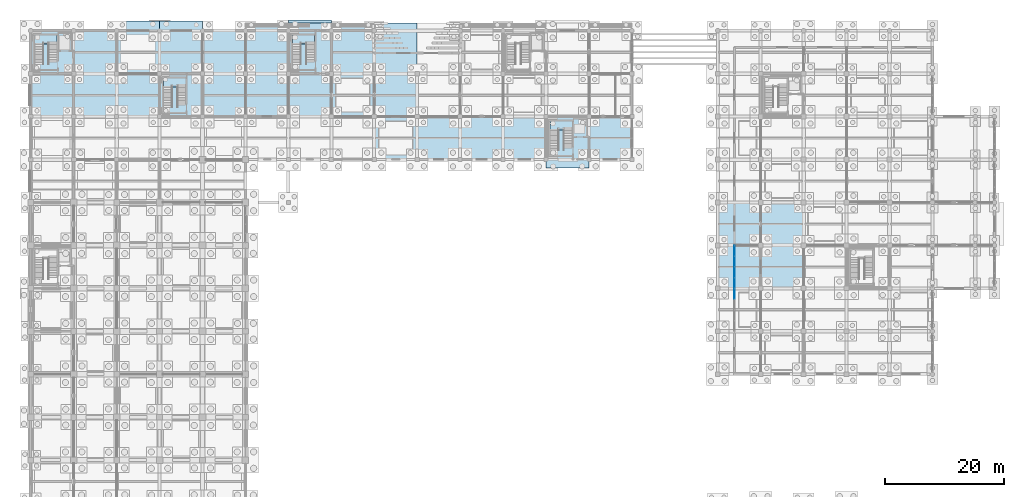
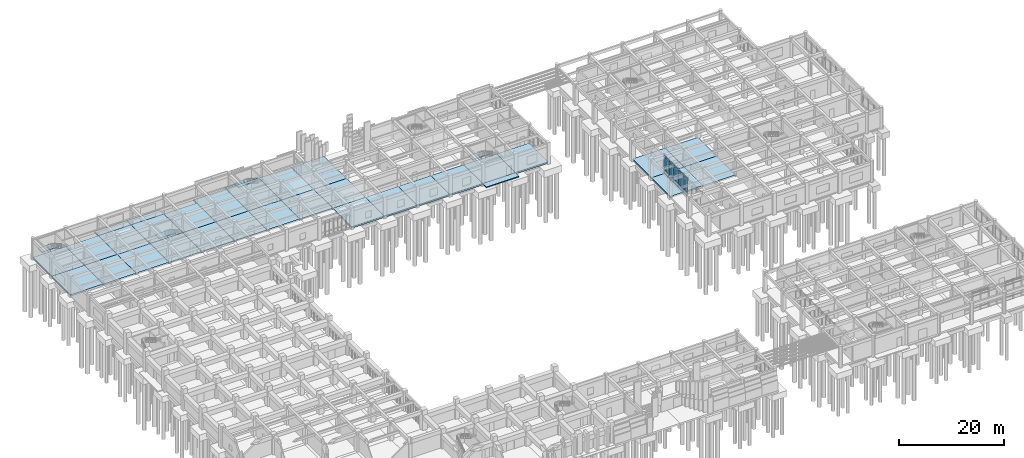
# One storey, part 48 of 79: 36 slabs, 15 plates, 6 elements without a shape of their own.
"""IFC4 building model written with IfcOpenShell, lengths in metres."""

from ifc_helpers import new_model, si_unit, direction, frame, origin, origin_2d, place, context, subcontext, project, spatial, polyline, rectangle, outline, extrude, material, layer, layer_set, type_object, element, aggregate, save


model = new_model("IFC4")

# Units and contexts
model_context = context("Model", 3, precision=1e-05, world=origin(), true_north=direction((0.0, 1.0)))
body_context = subcontext(model_context, "Body", "Model", "MODEL_VIEW")
ifc_project = project(units=[si_unit("LENGTHUNIT", "METRE"), si_unit("AREAUNIT", "SQUARE_METRE"), si_unit("VOLUMEUNIT", "CUBIC_METRE"), si_unit("PLANEANGLEUNIT", "RADIAN"), si_unit("MASSUNIT", "GRAM", prefix="KILO")], contexts=[model_context])

# Site, building, storey
site_placement = place(None, origin())
site = spatial("IfcSite", under=ifc_project, at=site_placement, CompositionType="ELEMENT")
building_placement = place(site_placement, origin())
building = spatial("IfcBuilding", under=site, at=building_placement, Name="Kavelor Marine Aquarium", CompositionType="ELEMENT")
storey_placement = place(building_placement, origin())
storey = spatial("IfcBuildingStorey", under=building, at=storey_placement, Name="L00", CompositionType="ELEMENT", Elevation=0.0)

# Curtain wall, plates
ifc_material_1 = material(Name="Thermally Broken Aluminium and Low-E Glass", Category="aluminium")
ifc_layer_1 = layer(ifc_material_1, 0.26806640625)
ifc_layer_set_1 = layer_set([ifc_layer_1], Name="CW-SYS16")
curtain_wall_type_1 = type_object("IfcCurtainWallType", Name="CW-SYS16", PredefinedType="USERDEFINED", material=ifc_layer_set_1)
curtain_wall_1_placement = place(storey_placement, origin())
curtain_wall_1 = element("IfcCurtainWall", 1, at=curtain_wall_1_placement, inside=storey, type_object=curtain_wall_type_1, Name="cw:arc:v6w:08", ObjectType="Curtain Wall", PredefinedType="USERDEFINED")
ifc_material_2 = material(Name="Solar-Control Double Low-E Glazing", Category="glass")
ifc_layer_2 = layer(ifc_material_2, 0.031982421875)
ifc_layer_set_2 = layer_set([ifc_layer_2], Name="CWP-04")
plate_type_1 = type_object("IfcPlateType", Name="CWP-04", PredefinedType="CURTAIN_PANEL", material=ifc_layer_set_2)
plate_1_placement = place(storey_placement, frame((121.199951171875, 66.68115234375, 0.06005859375), z_axis=(0.0, 0.0, 1.0), x_axis=(0.0, -1.0, 0.0)))
plate_1 = element("IfcPlate", 2, at=plate_1_placement, type_object=plate_type_1, Name="CW16 panel 1.1", PredefinedType="CURTAIN_PANEL", context=body_context, shape_type="SweptSolid", body=[
    extrude(rectangle(XDim=1.6875, YDim=0.031982421875, at=origin_2d()), origin(), (0.0, 0.0, 1.0), 0.81005859375),
])
plate_2_placement = place(storey_placement, frame((121.199951171875, 66.68115234375, 0.93017578125), z_axis=(0.0, 0.0, 1.0), x_axis=(0.0, -1.0, 0.0)))
plate_2 = element("IfcPlate", 3, at=plate_2_placement, type_object=plate_type_1, Name="CW16 panel 1.2", PredefinedType="CURTAIN_PANEL", context=body_context, shape_type="SweptSolid", body=[
    extrude(rectangle(XDim=1.6875, YDim=0.031982421875, at=origin_2d()), origin(), (0.0, 0.0, 1.0), 2.760009765625),
])
plate_3_placement = place(storey_placement, frame((121.199951171875, 66.68115234375, 3.75), z_axis=(0.0, 0.0, 1.0), x_axis=(0.0, -1.0, 0.0)))
plate_3 = element("IfcPlate", 4, at=plate_3_placement, type_object=plate_type_1, Name="CW16 panel 1.3", PredefinedType="CURTAIN_PANEL", context=body_context, shape_type="SweptSolid", body=[
    extrude(rectangle(XDim=1.6875, YDim=0.031982421875, at=origin_2d()), origin(), (0.0, 0.0, 1.0), 0.56005859375),
])
aggregate(curtain_wall_1, [plate_1, plate_2, plate_3])

ifc_material_3 = material(Name="Thermally Broken Aluminium and Low-E Glass", Category="aluminium")
ifc_layer_3 = layer(ifc_material_3, 0.27587890625)
ifc_layer_set_3 = layer_set([ifc_layer_3], Name="CW-SYS17")
curtain_wall_type_2 = type_object("IfcCurtainWallType", Name="CW-SYS17", PredefinedType="USERDEFINED", material=ifc_layer_set_3)
curtain_wall_2_placement = place(storey_placement, origin())
curtain_wall_2 = element("IfcCurtainWall", 5, at=curtain_wall_2_placement, inside=storey, type_object=curtain_wall_type_2, Name="cw:arc:v6w:09", ObjectType="Curtain Wall", PredefinedType="USERDEFINED")
ifc_material_4 = material(Name="Solar-Control Double Low-E Glazing", Category="glass")
ifc_layer_4 = layer(ifc_material_4, 0.033935546875)
ifc_layer_set_4 = layer_set([ifc_layer_4], Name="CWP-05")
plate_type_2 = type_object("IfcPlateType", Name="CWP-05", PredefinedType="CURTAIN_PANEL", material=ifc_layer_set_4)
plate_4_placement = place(storey_placement, frame((121.199951171875, 73.8837890625, 0.06005859375), z_axis=(0.0, 0.0, 1.0), x_axis=(0.0, -1.0, 0.0)))
plate_4 = element("IfcPlate", 6, at=plate_4_placement, type_object=plate_type_2, Name="CW17 panel 1.1", PredefinedType="CURTAIN_PANEL", context=body_context, shape_type="SweptSolid", body=[
    extrude(rectangle(XDim=1.702392578125, YDim=0.033935546875, at=origin_2d()), origin(), (0.0, 0.0, 1.0), 0.81005859375),
])
plate_5_placement = place(storey_placement, frame((121.199951171875, 73.8837890625, 0.93017578125), z_axis=(0.0, 0.0, 1.0), x_axis=(0.0, -1.0, 0.0)))
plate_5 = element("IfcPlate", 7, at=plate_5_placement, type_object=plate_type_2, Name="CW17 panel 1.2", PredefinedType="CURTAIN_PANEL", context=body_context, shape_type="SweptSolid", body=[
    extrude(rectangle(XDim=1.702392578125, YDim=0.033935546875, at=origin_2d()), origin(), (0.0, 0.0, 1.0), 2.760009765625),
])
plate_6_placement = place(storey_placement, frame((121.199951171875, 73.8837890625, 3.75), z_axis=(0.0, 0.0, 1.0), x_axis=(0.0, -1.0, 0.0)))
plate_6 = element("IfcPlate", 8, at=plate_6_placement, type_object=plate_type_2, Name="CW17 panel 1.3", PredefinedType="CURTAIN_PANEL", context=body_context, shape_type="SweptSolid", body=[
    extrude(rectangle(XDim=1.702392578125, YDim=0.033935546875, at=origin_2d()), origin(), (0.0, 0.0, 1.0), 0.56005859375),
])
plate_7_placement = place(storey_placement, frame((121.199951171875, 72.10009765625, 0.06005859375), z_axis=(0.0, 0.0, 1.0), x_axis=(0.0, -1.0, 0.0)))
plate_7 = element("IfcPlate", 9, at=plate_7_placement, type_object=plate_type_2, Name="CW17 panel 2.1", PredefinedType="CURTAIN_PANEL", context=body_context, shape_type="SweptSolid", body=[
    extrude(rectangle(XDim=1.735107421875, YDim=0.033935546875, at=origin_2d()), origin(), (0.0, 0.0, 1.0), 0.81005859375),
])
plate_8_placement = place(storey_placement, frame((121.199951171875, 72.10009765625, 0.93017578125), z_axis=(0.0, 0.0, 1.0), x_axis=(0.0, -1.0, 0.0)))
plate_8 = element("IfcPlate", 10, at=plate_8_placement, type_object=plate_type_2, Name="CW17 panel 2.2", PredefinedType="CURTAIN_PANEL", context=body_context, shape_type="SweptSolid", body=[
    extrude(rectangle(XDim=1.735107421875, YDim=0.033935546875, at=origin_2d()), origin(), (0.0, 0.0, 1.0), 2.760009765625),
])
plate_9_placement = place(storey_placement, frame((121.199951171875, 72.10009765625, 3.75), z_axis=(0.0, 0.0, 1.0), x_axis=(0.0, -1.0, 0.0)))
plate_9 = element("IfcPlate", 11, at=plate_9_placement, type_object=plate_type_2, Name="CW17 panel 2.3", PredefinedType="CURTAIN_PANEL", context=body_context, shape_type="SweptSolid", body=[
    extrude(rectangle(XDim=1.735107421875, YDim=0.033935546875, at=origin_2d()), origin(), (0.0, 0.0, 1.0), 0.56005859375),
])
plate_10_placement = place(storey_placement, frame((121.199951171875, 70.300048828125, 0.06005859375), z_axis=(0.0, 0.0, 1.0), x_axis=(0.0, -1.0, 0.0)))
plate_10 = element("IfcPlate", 12, at=plate_10_placement, type_object=plate_type_2, Name="CW17 panel 3.1", PredefinedType="CURTAIN_PANEL", context=body_context, shape_type="SweptSolid", body=[
    extrude(rectangle(XDim=1.735107421875, YDim=0.033935546875, at=origin_2d()), origin(), (0.0, 0.0, 1.0), 0.81005859375),
])
plate_11_placement = place(storey_placement, frame((121.199951171875, 70.300048828125, 0.93017578125), z_axis=(0.0, 0.0, 1.0), x_axis=(0.0, -1.0, 0.0)))
plate_11 = element("IfcPlate", 13, at=plate_11_placement, type_object=plate_type_2, Name="CW17 panel 3.2", PredefinedType="CURTAIN_PANEL", context=body_context, shape_type="SweptSolid", body=[
    extrude(rectangle(XDim=1.735107421875, YDim=0.033935546875, at=origin_2d()), origin(), (0.0, 0.0, 1.0), 2.760009765625),
])
plate_12_placement = place(storey_placement, frame((121.199951171875, 70.300048828125, 3.75), z_axis=(0.0, 0.0, 1.0), x_axis=(0.0, -1.0, 0.0)))
plate_12 = element("IfcPlate", 14, at=plate_12_placement, type_object=plate_type_2, Name="CW17 panel 3.3", PredefinedType="CURTAIN_PANEL", context=body_context, shape_type="SweptSolid", body=[
    extrude(rectangle(XDim=1.735107421875, YDim=0.033935546875, at=origin_2d()), origin(), (0.0, 0.0, 1.0), 0.56005859375),
])
plate_13_placement = place(storey_placement, frame((121.199951171875, 68.516357421875, 0.06005859375), z_axis=(0.0, 0.0, 1.0), x_axis=(0.0, -1.0, 0.0)))
plate_13 = element("IfcPlate", 15, at=plate_13_placement, type_object=plate_type_2, Name="CW17 panel 4.1", PredefinedType="CURTAIN_PANEL", context=body_context, shape_type="SweptSolid", body=[
    extrude(rectangle(XDim=1.702392578125, YDim=0.033935546875, at=origin_2d()), origin(), (0.0, 0.0, 1.0), 0.81005859375),
])
plate_14_placement = place(storey_placement, frame((121.199951171875, 68.516357421875, 0.93017578125), z_axis=(0.0, 0.0, 1.0), x_axis=(0.0, -1.0, 0.0)))
plate_14 = element("IfcPlate", 16, at=plate_14_placement, type_object=plate_type_2, Name="CW17 panel 4.2", PredefinedType="CURTAIN_PANEL", context=body_context, shape_type="SweptSolid", body=[
    extrude(rectangle(XDim=1.702392578125, YDim=0.033935546875, at=origin_2d()), origin(), (0.0, 0.0, 1.0), 2.760009765625),
])
plate_15_placement = place(storey_placement, frame((121.199951171875, 68.516357421875, 3.75), z_axis=(0.0, 0.0, 1.0), x_axis=(0.0, -1.0, 0.0)))
plate_15 = element("IfcPlate", 17, at=plate_15_placement, type_object=plate_type_2, Name="CW17 panel 4.3", PredefinedType="CURTAIN_PANEL", context=body_context, shape_type="SweptSolid", body=[
    extrude(rectangle(XDim=1.702392578125, YDim=0.033935546875, at=origin_2d()), origin(), (0.0, 0.0, 1.0), 0.56005859375),
])
aggregate(curtain_wall_2, [plate_4, plate_5, plate_6, plate_7, plate_8, plate_9, plate_10, plate_11, plate_12, plate_13, plate_14, plate_15])

# Stair, slab
ifc_material_5 = material(Name="Concrete C40/50", Category="concrete")
stair_type = type_object("IfcStairType", Name="ST-T1", PredefinedType="HALF_TURN_STAIR", material=ifc_material_5)
stair_1_placement = place(storey_placement, origin())
stair_1 = element("IfcStair", 18, at=stair_1_placement, inside=storey, type_object=stair_type, Name="Exit Stair ST01 (L00)", PredefinedType="HALF_TURN_STAIR")
ifc_material_6 = material(Name="Concrete C40/50", Category="concrete")
ifc_layer_5 = layer(ifc_material_6, 0.199951171875)
ifc_layer_set_5 = layer_set([ifc_layer_5], Name="LND-T1")
slab_type_1 = type_object("IfcSlabType", Name="LND-T1", PredefinedType="LANDING", material=ifc_layer_set_5)
slab_1_placement = place(storey_placement, frame((0.0, 0.0, 2.139892578125)))
slab_1 = element("IfcSlab", 19, at=slab_1_placement, type_object=slab_type_1, Name="ST01 landing 1", PredefinedType="LANDING", context=body_context, shape_type="SweptSolid", body=[
    extrude(outline(polyline([(3.860107421875, 108.554931640625), (7.6201171875, 108.554931640625), (7.6201171875, 110.06005859375), (3.860107421875, 110.06005859375), (3.860107421875, 108.554931640625)])), origin(), (0.0, 0.0, 1.0), 0.2001953125),
])
aggregate(stair_1, [slab_1])

stair_2_placement = place(storey_placement, origin())
stair_2 = element("IfcStair", 20, at=stair_2_placement, inside=storey, type_object=stair_type, Name="Exit Stair ST02 (L00)", PredefinedType="HALF_TURN_STAIR")
slab_2_placement = place(storey_placement, frame((0.0, 0.0, 2.139892578125)))
slab_2 = element("IfcSlab", 21, at=slab_2_placement, type_object=slab_type_1, Name="ST02 landing 1", PredefinedType="LANDING", context=body_context, shape_type="SweptSolid", body=[
    extrude(outline(polyline([(25.4599609375, 101.35498046875), (29.219970703125, 101.35498046875), (29.219970703125, 102.860107421875), (25.4599609375, 102.860107421875), (25.4599609375, 101.35498046875)])), origin(), (0.0, 0.0, 1.0), 0.2001953125),
])
aggregate(stair_2, [slab_2])

stair_3_placement = place(storey_placement, origin())
stair_3 = element("IfcStair", 22, at=stair_3_placement, inside=storey, type_object=stair_type, Name="Exit Stair ST05 (L00)", PredefinedType="HALF_TURN_STAIR")
slab_3_placement = place(storey_placement, frame((0.0, 0.0, 2.139892578125)))
slab_3 = element("IfcSlab", 23, at=slab_3_placement, type_object=slab_type_1, Name="ST05 landing 1", PredefinedType="LANDING", context=body_context, shape_type="SweptSolid", body=[
    extrude(outline(polyline([(47.06005859375, 108.554931640625), (50.820068359375, 108.554931640625), (50.820068359375, 110.06005859375), (47.06005859375, 110.06005859375), (47.06005859375, 108.554931640625)])), origin(), (0.0, 0.0, 1.0), 0.2001953125),
])
aggregate(stair_3, [slab_3])

stair_4_placement = place(storey_placement, origin())
stair_4 = element("IfcStair", 24, at=stair_4_placement, inside=storey, type_object=stair_type, Name="Exit Stair ST07 (L00)", PredefinedType="HALF_TURN_STAIR")
slab_4_placement = place(storey_placement, frame((0.0, 0.0, 2.139892578125)))
slab_4 = element("IfcSlab", 25, at=slab_4_placement, type_object=slab_type_1, Name="ST07 landing 1", PredefinedType="LANDING", context=body_context, shape_type="SweptSolid", body=[
    extrude(outline(polyline([(90.260009765625, 94.155029296875), (94.02001953125, 94.155029296875), (94.02001953125, 95.659912109375), (90.260009765625, 95.659912109375), (90.260009765625, 94.155029296875)])), origin(), (0.0, 0.0, 1.0), 0.2001953125),
])
aggregate(stair_4, [slab_4])

# Slabs
ifc_material_7 = material(Name="Textured Coastal Granite Paving", Category="masonry")
ifc_layer_6 = layer(ifc_material_7, 0.199951171875)
ifc_layer_set_6 = layer_set([ifc_layer_6], Name="SL-AP1")
slab_type_2 = type_object("IfcSlabType", Name="SL-AP1", PredefinedType="BASESLAB", material=ifc_layer_set_6)
slab_5_placement = place(storey_placement, frame((0.0, 0.0, -0.199951171875)))
element("IfcSlab", 26, at=slab_5_placement, inside=storey, type_object=slab_type_2, Name="apron:x:02_15", PredefinedType="BASESLAB", context=body_context, shape_type="SweptSolid", body=[
    extrude(outline(polyline([(17.60009765625, 110.800048828125), (24.800048828125, 110.800048828125), (24.800048828125, 112.39990234375), (17.60009765625, 112.39990234375), (17.60009765625, 110.800048828125)])), origin(), (0.0, 0.0, 1.0), 0.199951171875),
])
slab_6_placement = place(storey_placement, frame((0.0, 0.0, -0.199951171875)))
element("IfcSlab", 27, at=slab_6_placement, inside=storey, type_object=slab_type_2, Name="apron:x:03_15", PredefinedType="BASESLAB", context=body_context, shape_type="SweptSolid", body=[
    extrude(outline(polyline([(24.800048828125, 110.800048828125), (32.0, 110.800048828125), (32.0, 112.39990234375), (24.800048828125, 112.39990234375), (24.800048828125, 110.800048828125)])), origin(), (0.0, 0.0, 1.0), 0.199951171875),
])
slab_7_placement = place(storey_placement, frame((0.0, 0.0, -0.199951171875)))
element("IfcSlab", 28, at=slab_7_placement, inside=storey, type_object=slab_type_2, Name="apron:sd2:x:06_15", PredefinedType="BASESLAB", context=body_context, shape_type="SweptSolid", body=[
    extrude(outline(polyline([(46.39990234375, 112.1201171875), (53.60009765625, 112.1201171875), (53.60009765625, 112.60009765625), (46.39990234375, 112.60009765625), (46.39990234375, 112.1201171875)])), origin(), (0.0, 0.0, 1.0), 0.199951171875),
])
slab_8_placement = place(storey_placement, frame((0.0, 0.0, -0.199951171875)))
element("IfcSlab", 29, at=slab_8_placement, inside=storey, type_object=slab_type_2, Name="apron:sd2:x:12_12", PredefinedType="BASESLAB", context=body_context, shape_type="SweptSolid", body=[
    extrude(outline(polyline([(89.60009765625, 87.800048828125), (96.800048828125, 87.800048828125), (96.800048828125, 89.199951171875), (89.60009765625, 89.199951171875), (89.60009765625, 87.800048828125)])), origin(), (0.0, 0.0, 1.0), 0.199951171875),
])
ifc_material_8 = material(Name="Concrete C40/50", Category="concrete")
ifc_layer_7 = layer(ifc_material_8, 0.35009765625)
ifc_layer_set_7 = layer_set([ifc_layer_7], Name="SL-BS2")
slab_type_3 = type_object("IfcSlabType", Name="SL-BS2", PredefinedType="BASESLAB", material=ifc_layer_set_7)
slab_9_placement = place(storey_placement, frame((0.0, 0.0, -0.35009765625)))
element("IfcSlab", 30, at=slab_9_placement, inside=storey, type_object=slab_type_3, Name="slab:L00:00_13", PredefinedType="BASESLAB", context=body_context, shape_type="SweptSolid", body=[
    extrude(outline(polyline([(3.199951171875, 96.39990234375), (10.39990234375, 96.39990234375), (10.39990234375, 103.60009765625), (3.199951171875, 103.60009765625), (3.199951171875, 96.39990234375)])), origin(), (0.0, 0.0, 1.0), 0.35009765625),
])
slab_10_placement = place(storey_placement, frame((0.0, 0.0, -0.35009765625)))
element("IfcSlab", 31, at=slab_10_placement, inside=storey, type_object=slab_type_3, Name="slab:L00:00_14", PredefinedType="BASESLAB", context=body_context, shape_type="SweptSolid", body=[
    extrude(outline(polyline([(3.199951171875, 103.60009765625), (10.39990234375, 103.60009765625), (10.39990234375, 110.800048828125), (3.199951171875, 110.800048828125), (3.199951171875, 103.60009765625)])), origin(), (0.0, 0.0, 1.0), 0.35009765625),
])
slab_11_placement = place(storey_placement, frame((0.0, 0.0, -0.35009765625)))
element("IfcSlab", 32, at=slab_11_placement, inside=storey, type_object=slab_type_3, Name="slab:L00:01_13", PredefinedType="BASESLAB", context=body_context, shape_type="SweptSolid", body=[
    extrude(outline(polyline([(10.39990234375, 96.39990234375), (17.60009765625, 96.39990234375), (17.60009765625, 103.60009765625), (10.39990234375, 103.60009765625), (10.39990234375, 96.39990234375)])), origin(), (0.0, 0.0, 1.0), 0.35009765625),
])
slab_12_placement = place(storey_placement, frame((0.0, 0.0, -0.35009765625)))
element("IfcSlab", 33, at=slab_12_placement, inside=storey, type_object=slab_type_3, Name="slab:L00:01_14", PredefinedType="BASESLAB", context=body_context, shape_type="SweptSolid", body=[
    extrude(outline(polyline([(10.39990234375, 103.60009765625), (17.60009765625, 103.60009765625), (17.60009765625, 110.800048828125), (10.39990234375, 110.800048828125), (10.39990234375, 103.60009765625)])), origin(), (0.0, 0.0, 1.0), 0.35009765625),
])
slab_13_placement = place(storey_placement, frame((0.0, 0.0, -0.35009765625)))
element("IfcSlab", 34, at=slab_13_placement, inside=storey, type_object=slab_type_3, Name="slab:L00:02_13", PredefinedType="BASESLAB", context=body_context, shape_type="SweptSolid", body=[
    extrude(outline(polyline([(17.60009765625, 96.39990234375), (24.800048828125, 96.39990234375), (24.800048828125, 103.60009765625), (17.60009765625, 103.60009765625), (17.60009765625, 96.39990234375)])), origin(), (0.0, 0.0, 1.0), 0.35009765625),
])
slab_14_placement = place(storey_placement, frame((0.0, 0.0, -0.35009765625)))
element("IfcSlab", 35, at=slab_14_placement, inside=storey, type_object=slab_type_3, Name="slab:L00:02_14", PredefinedType="BASESLAB", context=body_context, shape_type="SweptSolid", body=[
    extrude(outline(polyline([(17.60009765625, 103.60009765625), (24.800048828125, 103.60009765625), (24.800048828125, 110.800048828125), (17.60009765625, 110.800048828125), (17.60009765625, 103.60009765625)])), origin(), (0.0, 0.0, 1.0), 0.35009765625),
])
slab_15_placement = place(storey_placement, frame((0.0, 0.0, -0.35009765625)))
element("IfcSlab", 36, at=slab_15_placement, inside=storey, type_object=slab_type_3, Name="slab:L00:03_13", PredefinedType="BASESLAB", context=body_context, shape_type="SweptSolid", body=[
    extrude(outline(polyline([(24.800048828125, 96.39990234375), (32.0, 96.39990234375), (32.0, 103.60009765625), (24.800048828125, 103.60009765625), (24.800048828125, 96.39990234375)])), origin(), (0.0, 0.0, 1.0), 0.35009765625),
])
slab_16_placement = place(storey_placement, frame((0.0, 0.0, -0.35009765625)))
element("IfcSlab", 37, at=slab_16_placement, inside=storey, type_object=slab_type_3, Name="slab:L00:03_14", PredefinedType="BASESLAB", context=body_context, shape_type="SweptSolid", body=[
    extrude(outline(polyline([(24.800048828125, 103.60009765625), (32.0, 103.60009765625), (32.0, 110.800048828125), (24.800048828125, 110.800048828125), (24.800048828125, 103.60009765625)])), origin(), (0.0, 0.0, 1.0), 0.35009765625),
])
slab_17_placement = place(storey_placement, frame((0.0, 0.0, -0.35009765625)))
element("IfcSlab", 38, at=slab_17_placement, inside=storey, type_object=slab_type_3, Name="slab:L00:04_13", PredefinedType="BASESLAB", context=body_context, shape_type="SweptSolid", body=[
    extrude(outline(polyline([(32.0, 96.39990234375), (39.199951171875, 96.39990234375), (39.199951171875, 103.60009765625), (32.0, 103.60009765625), (32.0, 96.39990234375)])), origin(), (0.0, 0.0, 1.0), 0.35009765625),
])
slab_18_placement = place(storey_placement, frame((0.0, 0.0, -0.35009765625)))
element("IfcSlab", 39, at=slab_18_placement, inside=storey, type_object=slab_type_3, Name="slab:L00:04_14", PredefinedType="BASESLAB", context=body_context, shape_type="SweptSolid", body=[
    extrude(outline(polyline([(32.0, 103.60009765625), (39.199951171875, 103.60009765625), (39.199951171875, 110.800048828125), (32.0, 110.800048828125), (32.0, 103.60009765625)])), origin(), (0.0, 0.0, 1.0), 0.35009765625),
])
slab_19_placement = place(storey_placement, frame((0.0, 0.0, -0.35009765625)))
element("IfcSlab", 40, at=slab_19_placement, inside=storey, type_object=slab_type_3, Name="slab:L00:05_13", PredefinedType="BASESLAB", context=body_context, shape_type="SweptSolid", body=[
    extrude(outline(polyline([(39.199951171875, 96.39990234375), (46.39990234375, 96.39990234375), (46.39990234375, 103.60009765625), (39.199951171875, 103.60009765625), (39.199951171875, 96.39990234375)])), origin(), (0.0, 0.0, 1.0), 0.35009765625),
])
slab_20_placement = place(storey_placement, frame((0.0, 0.0, -0.35009765625)))
element("IfcSlab", 41, at=slab_20_placement, inside=storey, type_object=slab_type_3, Name="slab:L00:05_14", PredefinedType="BASESLAB", context=body_context, shape_type="SweptSolid", body=[
    extrude(outline(polyline([(39.199951171875, 103.60009765625), (46.39990234375, 103.60009765625), (46.39990234375, 112.1201171875), (39.199951171875, 112.1201171875), (39.199951171875, 103.60009765625)])), origin(), (0.0, 0.0, 1.0), 0.35009765625),
])
slab_21_placement = place(storey_placement, frame((0.0, 0.0, -0.35009765625)))
element("IfcSlab", 42, at=slab_21_placement, inside=storey, type_object=slab_type_3, Name="slab:L00:06_13", PredefinedType="BASESLAB", context=body_context, shape_type="SweptSolid", body=[
    extrude(outline(polyline([(46.39990234375, 96.39990234375), (53.60009765625, 96.39990234375), (53.60009765625, 103.60009765625), (46.39990234375, 103.60009765625), (46.39990234375, 96.39990234375)])), origin(), (0.0, 0.0, 1.0), 0.35009765625),
])
slab_22_placement = place(storey_placement, frame((0.0, 0.0, -0.35009765625)))
element("IfcSlab", 43, at=slab_22_placement, inside=storey, type_object=slab_type_3, Name="slab:L00:06_14", PredefinedType="BASESLAB", context=body_context, shape_type="SweptSolid", body=[
    extrude(outline(polyline([(46.39990234375, 103.60009765625), (53.60009765625, 103.60009765625), (53.60009765625, 112.1201171875), (46.39990234375, 112.1201171875), (46.39990234375, 103.60009765625)])), origin(), (0.0, 0.0, 1.0), 0.35009765625),
])
slab_23_placement = place(storey_placement, frame((0.0, 0.0, -0.35009765625)))
element("IfcSlab", 44, at=slab_23_placement, inside=storey, type_object=slab_type_3, Name="slab:L00:07_13", PredefinedType="BASESLAB", context=body_context, shape_type="SweptSolid", body=[
    extrude(outline(polyline([(53.60009765625, 96.39990234375), (60.800048828125, 96.39990234375), (60.800048828125, 103.60009765625), (53.60009765625, 103.60009765625), (53.60009765625, 96.39990234375)])), origin(), (0.0, 0.0, 1.0), 0.35009765625),
])
slab_24_placement = place(storey_placement, frame((0.0, 0.0, -0.35009765625)))
element("IfcSlab", 45, at=slab_24_placement, inside=storey, type_object=slab_type_3, Name="slab:L00:07_14", PredefinedType="BASESLAB", context=body_context, shape_type="SweptSolid", body=[
    extrude(outline(polyline([(53.60009765625, 103.60009765625), (60.800048828125, 103.60009765625), (60.800048828125, 112.1201171875), (53.60009765625, 112.1201171875), (53.60009765625, 103.60009765625)])), origin(), (0.0, 0.0, 1.0), 0.35009765625),
])
slab_25_placement = place(storey_placement, frame((0.0, 0.0, -0.35009765625)))
element("IfcSlab", 46, at=slab_25_placement, inside=storey, type_object=slab_type_3, Name="slab:L00:08_12", PredefinedType="BASESLAB", context=body_context, shape_type="SweptSolid", body=[
    extrude(outline(polyline([(60.800048828125, 89.199951171875), (68.0, 89.199951171875), (68.0, 96.39990234375), (60.800048828125, 96.39990234375), (60.800048828125, 89.199951171875)])), origin(), (0.0, 0.0, 1.0), 0.35009765625),
])
slab_26_placement = place(storey_placement, frame((0.0, 0.0, -0.35009765625)))
element("IfcSlab", 47, at=slab_26_placement, inside=storey, type_object=slab_type_3, Name="slab:L00:08_13", PredefinedType="BASESLAB", context=body_context, shape_type="SweptSolid", body=[
    extrude(outline(polyline([(60.800048828125, 96.39990234375), (68.0, 96.39990234375), (68.0, 103.60009765625), (60.800048828125, 103.60009765625), (60.800048828125, 96.39990234375)])), origin(), (0.0, 0.0, 1.0), 0.35009765625),
])
slab_27_placement = place(storey_placement, frame((0.0, 0.0, -0.35009765625)))
element("IfcSlab", 48, at=slab_27_placement, inside=storey, type_object=slab_type_3, Name="slab:L00:08_14", PredefinedType="BASESLAB", context=body_context, shape_type="SweptSolid", body=[
    extrude(outline(polyline([(60.800048828125, 103.60009765625), (68.0, 103.60009765625), (68.0, 112.1201171875), (60.800048828125, 112.1201171875), (60.800048828125, 103.60009765625)])), origin(), (0.0, 0.0, 1.0), 0.35009765625),
])
slab_28_placement = place(storey_placement, frame((0.0, 0.0, -0.35009765625)))
element("IfcSlab", 49, at=slab_28_placement, inside=storey, type_object=slab_type_3, Name="slab:L00:09_12", PredefinedType="BASESLAB", context=body_context, shape_type="SweptSolid", body=[
    extrude(outline(polyline([(68.0, 89.199951171875), (75.199951171875, 89.199951171875), (75.199951171875, 96.39990234375), (68.0, 96.39990234375), (68.0, 89.199951171875)])), origin(), (0.0, 0.0, 1.0), 0.35009765625),
])
slab_29_placement = place(storey_placement, frame((0.0, 0.0, -0.35009765625)))
element("IfcSlab", 50, at=slab_29_placement, inside=storey, type_object=slab_type_3, Name="slab:L00:10_12", PredefinedType="BASESLAB", context=body_context, shape_type="SweptSolid", body=[
    extrude(outline(polyline([(75.199951171875, 89.199951171875), (82.39990234375, 89.199951171875), (82.39990234375, 96.39990234375), (75.199951171875, 96.39990234375), (75.199951171875, 89.199951171875)])), origin(), (0.0, 0.0, 1.0), 0.35009765625),
])
slab_30_placement = place(storey_placement, frame((0.0, 0.0, -0.35009765625)))
element("IfcSlab", 51, at=slab_30_placement, inside=storey, type_object=slab_type_3, Name="slab:L00:11_12", PredefinedType="BASESLAB", context=body_context, shape_type="SweptSolid", body=[
    extrude(outline(polyline([(82.39990234375, 89.199951171875), (89.60009765625, 89.199951171875), (89.60009765625, 96.39990234375), (82.39990234375, 96.39990234375), (82.39990234375, 89.199951171875)])), origin(), (0.0, 0.0, 1.0), 0.35009765625),
])
slab_31_placement = place(storey_placement, frame((0.0, 0.0, -0.35009765625)))
element("IfcSlab", 52, at=slab_31_placement, inside=storey, type_object=slab_type_3, Name="slab:L00:12_12", PredefinedType="BASESLAB", context=body_context, shape_type="SweptSolid", body=[
    extrude(outline(polyline([(89.60009765625, 89.199951171875), (96.800048828125, 89.199951171875), (96.800048828125, 96.39990234375), (89.60009765625, 96.39990234375), (89.60009765625, 89.199951171875)])), origin(), (0.0, 0.0, 1.0), 0.35009765625),
])
slab_32_placement = place(storey_placement, frame((0.0, 0.0, -0.35009765625)))
element("IfcSlab", 53, at=slab_32_placement, inside=storey, type_object=slab_type_3, Name="slab:L00:13_12", PredefinedType="BASESLAB", context=body_context, shape_type="SweptSolid", body=[
    extrude(outline(polyline([(96.800048828125, 89.199951171875), (104.0, 89.199951171875), (104.0, 96.39990234375), (96.800048828125, 96.39990234375), (96.800048828125, 89.199951171875)])), origin(), (0.0, 0.0, 1.0), 0.35009765625),
])
slab_33_placement = place(storey_placement, frame((0.0, 0.0, -0.35009765625)))
element("IfcSlab", 54, at=slab_33_placement, inside=storey, type_object=slab_type_3, Name="slab:L00:16_09", PredefinedType="BASESLAB", context=body_context, shape_type="SweptSolid", body=[
    extrude(outline(polyline([(118.39990234375, 67.60009765625), (125.60009765625, 67.60009765625), (125.60009765625, 74.800048828125), (118.39990234375, 74.800048828125), (118.39990234375, 67.60009765625)])), origin(), (0.0, 0.0, 1.0), 0.35009765625),
])
slab_34_placement = place(storey_placement, frame((0.0, 0.0, -0.35009765625)))
element("IfcSlab", 55, at=slab_34_placement, inside=storey, type_object=slab_type_3, Name="slab:L00:16_10", PredefinedType="BASESLAB", context=body_context, shape_type="SweptSolid", body=[
    extrude(outline(polyline([(118.39990234375, 74.800048828125), (125.60009765625, 74.800048828125), (125.60009765625, 82.0), (118.39990234375, 82.0), (118.39990234375, 74.800048828125)])), origin(), (0.0, 0.0, 1.0), 0.35009765625),
])
slab_35_placement = place(storey_placement, frame((0.0, 0.0, -0.35009765625)))
element("IfcSlab", 56, at=slab_35_placement, inside=storey, type_object=slab_type_3, Name="slab:L00:17_09", PredefinedType="BASESLAB", context=body_context, shape_type="SweptSolid", body=[
    extrude(outline(polyline([(125.60009765625, 67.60009765625), (132.800048828125, 67.60009765625), (132.800048828125, 74.800048828125), (125.60009765625, 74.800048828125), (125.60009765625, 67.60009765625)])), origin(), (0.0, 0.0, 1.0), 0.35009765625),
])
slab_36_placement = place(storey_placement, frame((0.0, 0.0, -0.35009765625)))
element("IfcSlab", 57, at=slab_36_placement, inside=storey, type_object=slab_type_3, Name="slab:L00:17_10", PredefinedType="BASESLAB", context=body_context, shape_type="SweptSolid", body=[
    extrude(outline(polyline([(125.60009765625, 74.800048828125), (132.800048828125, 74.800048828125), (132.800048828125, 82.0), (125.60009765625, 82.0), (125.60009765625, 74.800048828125)])), origin(), (0.0, 0.0, 1.0), 0.35009765625),
])

save(model, "model.ifc")
